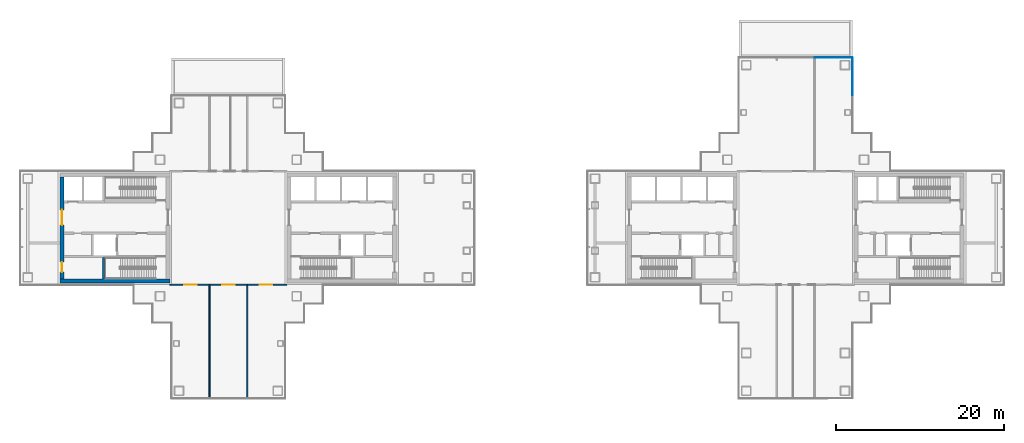
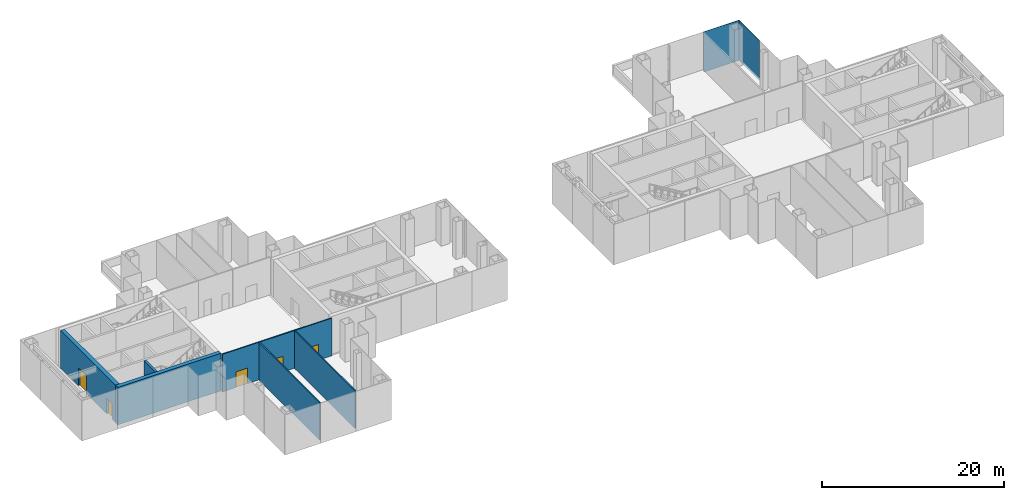
# One storey, part 8 of 15: 6 walls, 5 doors, 2 plates, 5 openings, 2 elements without a shape of their own.
"""IFC4 building model written with IfcOpenShell, lengths in metres."""

from ifc_helpers import new_model, si_unit, direction, frame, frame_2d, origin, origin_2d, place, context, subcontext, project, spatial, rectangle, extrude, material, layer, layer_set, type_object, element, fill, aggregate, save


model = new_model("IFC4")

# Units and contexts
model_context = context("Model", 3, precision=1e-05, world=origin(), true_north=direction((0.0, 1.0)))
body_context = subcontext(model_context, "Body", "Model", "MODEL_VIEW")
ifc_project = project(units=[si_unit("LENGTHUNIT", "METRE"), si_unit("AREAUNIT", "SQUARE_METRE"), si_unit("VOLUMEUNIT", "CUBIC_METRE"), si_unit("PLANEANGLEUNIT", "RADIAN"), si_unit("MASSUNIT", "GRAM", prefix="KILO")], contexts=[model_context])

# Site, building, storey
site_placement = place(None, origin())
site = spatial("IfcSite", under=ifc_project, at=site_placement, CompositionType="ELEMENT")
building_placement = place(site_placement, origin())
building = spatial("IfcBuilding", under=site, at=building_placement, Name="Shamsa Quay Exchange Towers", CompositionType="ELEMENT")
storey_placement = place(building_placement, frame((0.0, 0.0, 133.5)))
storey = spatial("IfcBuildingStorey", under=building, at=storey_placement, Name="L31", CompositionType="ELEMENT", Elevation=133.5)

# Curtain wall, plate
ifc_material_1 = material(Name="Aluminium EN AW-6063 T6, black anodised", Category="aluminium")
ifc_layer_1 = layer(ifc_material_1, 0.31396484375)
ifc_layer_set_1 = layer_set([ifc_layer_1], Name="CW-6 TALL STOREY GLAZING")
curtain_wall_type = type_object("IfcCurtainWallType", Name="CW-6 TALL STOREY GLAZING", PredefinedType="NOTDEFINED", material=ifc_layer_set_1)
curtain_wall_1_placement = place(storey_placement, origin())
curtain_wall_1 = element("IfcCurtainWall", 1, at=curtain_wall_1_placement, inside=storey, type_object=curtain_wall_type, Name="CW6 T2-FLK-U+S L31", PredefinedType="NOTDEFINED")
ifc_material_2 = material(Name="Glass, laminated, dark tinted", Category="glass")
ifc_layer_2 = layer(ifc_material_2, 0.0439453125)
ifc_layer_set_2 = layer_set([ifc_layer_2], Name="CW-6 TALL GLASS 44")
plate_type = type_object("IfcPlateType", Name="CW-6 TALL GLASS 44", PredefinedType="CURTAIN_PANEL", material=ifc_layer_set_2)
plate_1_placement = place(storey_placement, frame((40.52197265625, 18.011962890625, -0.349853515625), z_axis=(0.0, 0.0, 1.0), x_axis=(0.0, 1.0, 0.0)))
plate_1 = element("IfcPlate", 2, at=plate_1_placement, type_object=plate_type, Name="CW6 glass panel", PredefinedType="CURTAIN_PANEL", context=body_context, shape_type="SweptSolid", body=[
    extrude(rectangle(XDim=4.47607421875, YDim=0.0439453125, at=origin_2d()), origin(), (0.0, 0.0, 1.0), 5.39990234375),
])
aggregate(curtain_wall_1, [plate_1])

curtain_wall_2_placement = place(storey_placement, origin())
curtain_wall_2 = element("IfcCurtainWall", 3, at=curtain_wall_2_placement, inside=storey, type_object=curtain_wall_type, Name="CW6 T2-END-U+ L31", PredefinedType="NOTDEFINED")
plate_2_placement = place(storey_placement, frame((38.25244140625, 20.27197265625, -0.349853515625), z_axis=(0.0, 0.0, 1.0), x_axis=(-1.0, 0.0, 0.0)))
plate_2 = element("IfcPlate", 4, at=plate_2_placement, type_object=plate_type, Name="CW6 glass panel", PredefinedType="CURTAIN_PANEL", context=body_context, shape_type="SweptSolid", body=[
    extrude(rectangle(XDim=4.4951171875, YDim=0.0439453125, at=origin_2d()), origin(), (0.0, 0.0, 1.0), 5.39990234375),
])
aggregate(curtain_wall_2, [plate_2])

# Wall
ifc_material_3 = material(Name="Concrete C60/75", Category="concrete")
ifc_layer_3 = layer(ifc_material_3, 0.5)
ifc_layer_set_3 = layer_set([ifc_layer_3], Name="CORE WALL 500 C60/75")
wall_type_1 = type_object("IfcWallType", Name="CORE WALL 500 C60/75", PredefinedType="SHEAR", material=ifc_layer_set_3)
wall_1_placement = place(storey_placement, frame((-40.699951171875, -6.300048828125, 0.0), z_axis=(0.0, 0.0, 1.0), x_axis=(-1.0, 0.0, 0.0)))
element("IfcWall", 5, at=wall_1_placement, inside=storey, type_object=wall_type_1, Name="Core wall T1B-L31-PS", PredefinedType="SHEAR", context=body_context, shape_type="SweptSolid", body=[
    extrude(rectangle(XDim=13.10009765625, YDim=0.5, at=frame_2d((6.550048828125, 0.0))), origin(), (0.0, 0.0, 1.0), 5.050048828125),
])

# Wall, openings, doors
wall_2_placement = place(storey_placement, frame((-53.550048828125, -6.050048828125, 0.0), z_axis=(0.0, 0.0, 1.0), x_axis=(0.0, 1.0, 0.0)))
wall_2 = element("IfcWall", 6, at=wall_2_placement, inside=storey, type_object=wall_type_1, Name="Core wall T1B-L31-PB", PredefinedType="SHEAR", context=body_context, shape_type="SweptSolid", body=[
    extrude(rectangle(XDim=12.10009765625, YDim=0.5, at=frame_2d((6.050048828125, 0.0))), origin(), (0.0, 0.0, 1.0), 5.050048828125),
])
opening_1_placement = place(wall_2_placement, frame((0.800048828125, 0.0, 0.0)))
opening_1 = element("IfcOpeningElement", 7, at=opening_1_placement, cuts=wall_2, Name="Opening T1B-L31-RD02", PredefinedType="OPENING", context=body_context, shape_type="SweptSolid", body=[
    extrude(rectangle(XDim=1.199951171875, YDim=2.10009765625, at=frame_2d((0.60009765625, 1.050048828125))), frame((0.0, 0.260009765625, 0.0), z_axis=(0.0, -1.0, 0.0), x_axis=(1.0, 0.0, 0.0)), (0.0, 0.0, 1.0), 0.52001953125),
])
opening_2_placement = place(wall_2_placement, frame((6.39990234375, 0.0, 0.0)))
opening_2 = element("IfcOpeningElement", 8, at=opening_2_placement, cuts=wall_2, Name="Opening T1B-L31-LBD03", PredefinedType="OPENING", context=body_context, shape_type="SweptSolid", body=[
    extrude(rectangle(XDim=1.800048828125, YDim=2.39990234375, at=frame_2d((0.89990234375, 1.199951171875))), frame((0.0, 0.260009765625, 0.0), z_axis=(0.0, -1.0, 0.0), x_axis=(1.0, 0.0, 0.0)), (0.0, 0.0, 1.0), 0.52001953125),
])
ifc_material_4 = material(Name="Steel, fire rated", Category="steel")
door_type_1 = type_object("IfcDoorType", Name="LIFT LOBBY DOOR PAIR 1800", OperationType="DOUBLE_DOOR_SINGLE_SWING", PredefinedType="DOOR", material=ifc_material_4)
door_1_placement = place(opening_2_placement, origin())
door_1 = element("IfcDoor", 9, at=door_1_placement, inside=storey, type_object=door_type_1, Name="T1B-L31-LBD03", OperationType="DOUBLE_DOOR_SINGLE_SWING", OverallHeight=2.39990234375, OverallWidth=1.800048828125, PredefinedType="DOOR", context=body_context, shape_type="SweptSolid", body=[
    extrude(rectangle(XDim=1.800048828125, YDim=2.39990234375, at=frame_2d((0.89990234375, 1.199951171875))), frame((0.0, 0.02490234375, 0.0), z_axis=(0.0, -1.0, 0.0), x_axis=(1.0, 0.0, 0.0)), (0.0, 0.0, 1.0), 0.050048828125),
])
fill(opening_2, door_1)
door_type_2 = type_object("IfcDoorType", Name="RISER ACCESS DOOR 1200", OperationType="SINGLE_SWING_LEFT", PredefinedType="DOOR", material=ifc_material_4)
door_2_placement = place(opening_1_placement, origin())
door_2 = element("IfcDoor", 10, at=door_2_placement, inside=storey, type_object=door_type_2, Name="T1B-L31-RD02", OperationType="SINGLE_SWING_LEFT", OverallHeight=2.10009765625, OverallWidth=1.199951171875, PredefinedType="DOOR", context=body_context, shape_type="SweptSolid", body=[
    extrude(rectangle(XDim=1.199951171875, YDim=2.10009765625, at=frame_2d((0.60009765625, 1.050048828125))), frame((0.0, 0.02490234375, 0.0), z_axis=(0.0, -1.0, 0.0), x_axis=(1.0, 0.0, 0.0)), (0.0, 0.0, 1.0), 0.050048828125),
])
fill(opening_1, door_2)

ifc_material_5 = material(Name="Gypsum board partition on metal studs")
ifc_layer_4 = layer(ifc_material_5, 0.14990234375)
ifc_layer_set_4 = layer_set([ifc_layer_4], Name="Partition 150 mm EI 60")
wall_type_2 = type_object("IfcWallType", Name="Partition 150 mm EI 60", PredefinedType="PARTITIONING", material=ifc_layer_set_4)
wall_3_placement = place(storey_placement, frame((-26.800048828125, -6.75, 0.0), z_axis=(0.0, 0.0, 1.0), x_axis=(-1.0, 0.0, 0.0)))
wall_3 = element("IfcWall", 11, at=wall_3_placement, inside=storey, type_object=wall_type_2, Name="Partition T1-L31-W04", PredefinedType="PARTITIONING", context=body_context, shape_type="SweptSolid", body=[
    extrude(rectangle(XDim=13.89990234375, YDim=0.14990234375, at=frame_2d((6.949951171875, 0.0))), origin(), (0.0, 0.0, 1.0), 5.050048828125),
])
opening_3_placement = place(wall_3_placement, frame((1.699951171875, 0.0, 0.0)))
opening_3 = element("IfcOpeningElement", 12, at=opening_3_placement, cuts=wall_3, Name="Opening T1-L31-D05", PredefinedType="OPENING", context=body_context, shape_type="SweptSolid", body=[
    extrude(rectangle(XDim=1.5, YDim=2.10009765625, at=frame_2d((0.75, 1.050048828125))), frame((0.0, 0.0849609375, 0.0), z_axis=(0.0, -1.0, 0.0), x_axis=(1.0, 0.0, 0.0)), (0.0, 0.0, 1.0), 0.169921875),
])
opening_4_placement = place(wall_3_placement, frame((6.199951171875, 0.0, 0.0)))
opening_4 = element("IfcOpeningElement", 13, at=opening_4_placement, cuts=wall_3, Name="Opening T1-L31-D06", PredefinedType="OPENING", context=body_context, shape_type="SweptSolid", body=[
    extrude(rectangle(XDim=1.5, YDim=2.10009765625, at=frame_2d((0.75, 1.050048828125))), frame((0.0, 0.0849609375, 0.0), z_axis=(0.0, -1.0, 0.0), x_axis=(1.0, 0.0, 0.0)), (0.0, 0.0, 1.0), 0.169921875),
])
opening_5_placement = place(wall_3_placement, frame((10.699951171875, 0.0, 0.0)))
opening_5 = element("IfcOpeningElement", 14, at=opening_5_placement, cuts=wall_3, Name="Opening T1-L31-D07", PredefinedType="OPENING", context=body_context, shape_type="SweptSolid", body=[
    extrude(rectangle(XDim=1.5, YDim=2.10009765625, at=frame_2d((0.75, 1.050048828125))), frame((0.0, 0.0849609375, 0.0), z_axis=(0.0, -1.0, 0.0), x_axis=(1.0, 0.0, 0.0)), (0.0, 0.0, 1.0), 0.169921875),
])
ifc_material_6 = material(Name="Timber door leaf in a metal frame", Category="wood")
door_type_3 = type_object("IfcDoorType", Name="Door 1500x2100 FD30S pair", OperationType="NOTDEFINED", PredefinedType="DOOR", material=ifc_material_6)
door_3_placement = place(opening_3_placement, origin())
door_3 = element("IfcDoor", 15, at=door_3_placement, inside=storey, type_object=door_type_3, Name="Door T1-L31-D05", OperationType="DOUBLE_DOOR_SINGLE_SWING", OverallHeight=2.10009765625, OverallWidth=1.5, PredefinedType="DOOR", context=body_context, shape_type="SweptSolid", body=[
    extrude(rectangle(XDim=1.5, YDim=2.10009765625, at=frame_2d((0.75, 1.050048828125))), frame((0.0, 0.02490234375, 0.0), z_axis=(0.0, -1.0, 0.0), x_axis=(1.0, 0.0, 0.0)), (0.0, 0.0, 1.0), 0.050048828125),
])
fill(opening_3, door_3)
door_4_placement = place(opening_4_placement, origin())
door_4 = element("IfcDoor", 16, at=door_4_placement, inside=storey, type_object=door_type_3, Name="Door T1-L31-D06", OperationType="DOUBLE_DOOR_SINGLE_SWING", OverallHeight=2.10009765625, OverallWidth=1.5, PredefinedType="DOOR", context=body_context, shape_type="SweptSolid", body=[
    extrude(rectangle(XDim=1.5, YDim=2.10009765625, at=frame_2d((0.75, 1.050048828125))), frame((0.0, 0.02490234375, 0.0), z_axis=(0.0, -1.0, 0.0), x_axis=(1.0, 0.0, 0.0)), (0.0, 0.0, 1.0), 0.050048828125),
])
fill(opening_4, door_4)
door_5_placement = place(opening_5_placement, origin())
door_5 = element("IfcDoor", 17, at=door_5_placement, inside=storey, type_object=door_type_3, Name="Door T1-L31-D07", OperationType="DOUBLE_DOOR_SINGLE_SWING", OverallHeight=2.10009765625, OverallWidth=1.5, PredefinedType="DOOR", context=body_context, shape_type="SweptSolid", body=[
    extrude(rectangle(XDim=1.5, YDim=2.10009765625, at=frame_2d((0.75, 1.050048828125))), frame((0.0, 0.02490234375, 0.0), z_axis=(0.0, -1.0, 0.0), x_axis=(1.0, 0.0, 0.0)), (0.0, 0.0, 1.0), 0.050048828125),
])
fill(opening_5, door_5)

# Walls
for number, where, z_axis, x_axis, name in (
    (18, (-36.0, -20.155029296875, 0.0), (0.0, 0.0, 1.0), (0.0, 1.0, 0.0), "Partition T1-L31-W05"),
    (19, (-31.5, -20.155029296875, 0.0), (0.0, 0.0, 1.0), (0.0, 1.0, 0.0), "Partition T1-L31-W08"),
):
    element("IfcWall", number, at=place(storey_placement, frame(where, z_axis=z_axis, x_axis=x_axis)), inside=storey, type_object=wall_type_2, Name=name, PredefinedType="PARTITIONING", context=body_context, shape_type="SweptSolid", body=[
        extrude(rectangle(XDim=13.330078125, YDim=0.14990234375, at=frame_2d((6.6650390625, 0.0))), origin(), (0.0, 0.0, 1.0), 5.050048828125),
    ])
ifc_material_7 = material(Name="Concrete C50/60", Category="concrete")
ifc_layer_5 = layer(ifc_material_7, 0.25)
ifc_layer_set_5 = layer_set([ifc_layer_5], Name="SHAFT WALL 250 C50/60")
wall_type_3 = type_object("IfcWallType", Name="SHAFT WALL 250 C50/60", PredefinedType="SHEAR", material=ifc_layer_set_5)
wall_4_placement = place(storey_placement, frame((-48.625, -6.050048828125, 0.0), z_axis=(0.0, 0.0, 1.0), x_axis=(0.0, 1.0, 0.0)))
element("IfcWall", 20, at=wall_4_placement, inside=storey, type_object=wall_type_3, Name="Shaft wall T1B-L31-STF", PredefinedType="SHEAR", context=body_context, shape_type="SweptSolid", body=[
    extrude(rectangle(XDim=2.550048828125, YDim=0.25, at=frame_2d((1.27490234375, 0.0))), origin(), (0.0, 0.0, 1.0), 5.050048828125),
])

save(model, "model.ifc")
